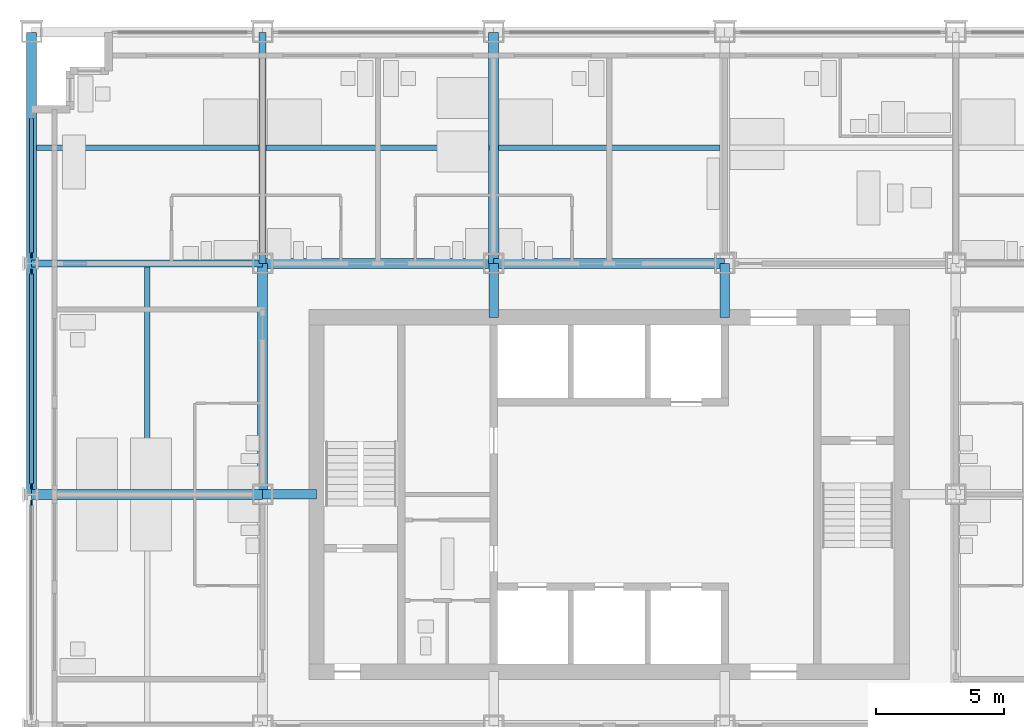
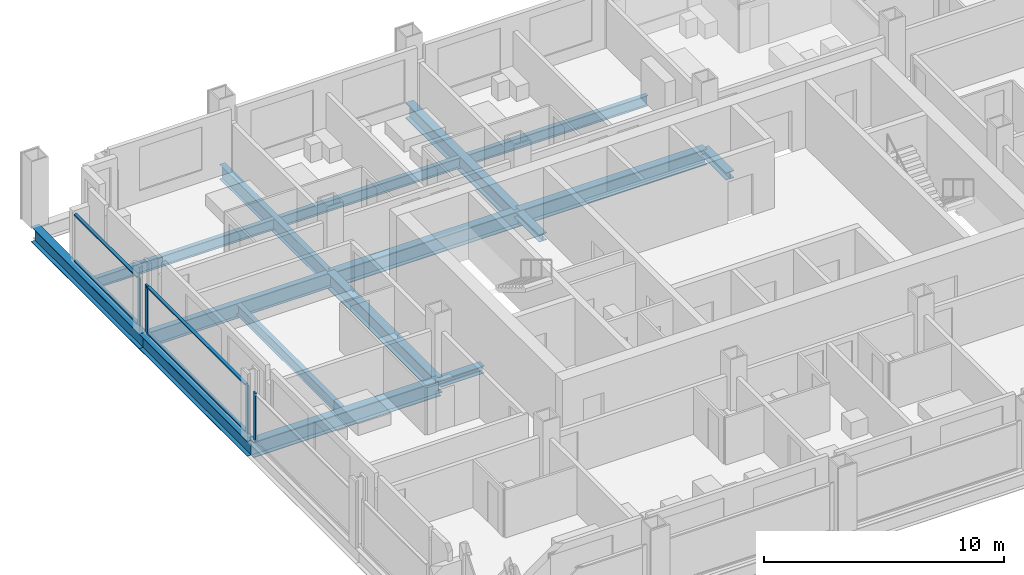
# One storey, part 4 of 16: 13 beams, 11 members, 3 elements without a shape of their own.
"""IFC4 building model written with IfcOpenShell, lengths in metres."""

import ifcopenshell
import ifcopenshell.guid

model = None  # the IFC model being written
_history = None  # IfcOwnerHistory: only IFC2X3 demands one
_inside = {}  # id of a spatial element -> (the spatial element, [elements in it])
_under = {}  # id of a project, library or spatial element -> (it, [spatial elements below it])
_declared = {}  # id of a project -> (the project, [libraries it declares])
_typed = {}  # id of a type object -> (the type object, [elements of that type])
_made_of = {}  # id of a material, layer set ... -> (it, [elements and type objects made of it])


def new_model(schema):
    """Start an empty IFC model of exactly this schema.

    Asked for "IFC4X3", IfcOpenShell would pick the latest addendum, in which some entities
    have other attributes; the version numbers below select the first issue.
    IFC2X3 requires an IfcOwnerHistory on every rooted entity: one is made here for all.
    """
    global model, _history
    if schema == "IFC4X3":
        model = ifcopenshell.file(schema_version=(4, 3, 0, 0))
    else:
        model = ifcopenshell.file(schema=schema)
    _inside.clear()
    _under.clear()
    _declared.clear()
    _typed.clear()
    _made_of.clear()
    _history = None
    if model.schema == "IFC2X3":
        org = make("IfcOrganization", Name="unknown")
        user = make(
            "IfcPersonAndOrganization",
            ThePerson=make("IfcPerson", FamilyName="unknown"),
            TheOrganization=org,
        )
        app = make(
            "IfcApplication",
            ApplicationDeveloper=org,
            Version="unknown",
            ApplicationFullName="unknown",
            ApplicationIdentifier="unknown",
        )
        _history = make(
            "IfcOwnerHistory",
            OwningUser=user,
            OwningApplication=app,
            ChangeAction="ADDED",
            CreationDate=0,
        )
    return model


def make(cls, **values):
    """One entity of the class cls with the attributes given. An attribute that is None is left unset."""
    return model.create_entity(
        cls, **{name: value for name, value in values.items() if value is not None}
    )


def rooted(cls, **values):
    """An entity with a GlobalId (a new one), such as an element, a storey or a relation."""
    return make(cls, GlobalId=ifcopenshell.guid.new(), OwnerHistory=_history, **values)


def si_unit(unit_type, name, prefix=None):
    """IfcSIUnit, for example si_unit("LENGTHUNIT", "METRE", prefix="MILLI")."""
    return make("IfcSIUnit", UnitType=unit_type, Prefix=prefix, Name=name)


def assignment(units):
    """IfcUnitAssignment: the units of a project."""
    return None if units is None else make("IfcUnitAssignment", Units=units)


def point(xyz):
    """IfcCartesianPoint."""
    return None if xyz is None else make("IfcCartesianPoint", Coordinates=xyz)


def direction(xyz):
    """IfcDirection."""
    return None if xyz is None else make("IfcDirection", DirectionRatios=xyz)


def frame(location, z_axis=None, x_axis=None):
    """IfcAxis2Placement3D, a coordinate frame: its origin and axes. An axis left out is left unset."""
    return make(
        "IfcAxis2Placement3D",
        Location=point(location),
        Axis=direction(z_axis),
        RefDirection=direction(x_axis),
    )


def frame_2d(location, x_axis=None):
    """IfcAxis2Placement2D, a coordinate frame in the plane: its origin and x axis."""
    return make(
        "IfcAxis2Placement2D", Location=point(location), RefDirection=direction(x_axis)
    )


def origin():
    """The frame at (0, 0, 0) with its axes left unset."""
    return frame((0.0, 0.0, 0.0))


def origin_2d():
    """The frame at (0, 0) in the plane with its x axis left unset."""
    return frame_2d((0.0, 0.0))


def place(relative_to, where):
    """IfcLocalPlacement: puts the frame where relative to a parent placement (None: the world)."""
    return make(
        "IfcLocalPlacement", PlacementRelTo=relative_to, RelativePlacement=where
    )


def context(
    kind, dimensions, precision=None, world=None, true_north=None, identifier=None
):
    """IfcGeometricRepresentationContext, for example the 3D "Model" context."""
    return make(
        "IfcGeometricRepresentationContext",
        ContextIdentifier=identifier,
        ContextType=kind,
        CoordinateSpaceDimension=dimensions,
        Precision=precision,
        WorldCoordinateSystem=world,
        TrueNorth=true_north,
    )


def subcontext(parent, identifier, kind, view, scale=None):
    """IfcGeometricRepresentationSubContext, for example "Body" below "Model"."""
    return make(
        "IfcGeometricRepresentationSubContext",
        ContextIdentifier=identifier,
        ContextType=kind,
        ParentContext=parent,
        TargetScale=scale,
        TargetView=view,
    )


def project(units=None, contexts=None):
    """IfcProject with its units and contexts."""
    return rooted(
        "IfcProject",
        Name="project",
        RepresentationContexts=contexts,
        UnitsInContext=assignment(units),
    )


def spatial(cls, under=None, at=None, **own):
    """A site, building, storey or space (cls), placed at a placement, below another one or the project."""
    s = rooted(cls, ObjectPlacement=at, **own)
    if under is not None:
        _under.setdefault(under.id(), (under, []))[1].append(s)
    return s


def profile(cls, at=None, kind="AREA", **sizes):
    """A parametric profile (cls). Its sizes go by their IFC names, for example OverallWidth=200.0."""
    return make(cls, ProfileType=kind, Position=at, **sizes)


def rectangle(**sizes):
    """IfcRectangleProfileDef."""
    return profile("IfcRectangleProfileDef", **sizes)


def i_section(**sizes):
    """IfcIShapeProfileDef."""
    return profile("IfcIShapeProfileDef", **sizes)


def extrude(swept, where, along, depth):
    """IfcExtrudedAreaSolid: the profile swept, set in the frame where, extruded along a direction by depth."""
    return make(
        "IfcExtrudedAreaSolid",
        SweptArea=swept,
        Position=where,
        ExtrudedDirection=direction(along),
        Depth=depth,
    )


def shape(context_of_items, identifier, shape_type, items):
    """IfcShapeRepresentation: the items that make up one representation, for example the "Body"."""
    return make(
        "IfcShapeRepresentation",
        ContextOfItems=context_of_items,
        RepresentationIdentifier=identifier,
        RepresentationType=shape_type,
        Items=items,
    )


def material(Name=None, Category=None):
    """IfcMaterial."""
    return make("IfcMaterial", Name=Name, Category=Category)


def material_profile(
    of_material, cross_section, Name=None, Category=None, Priority=None
):
    """IfcMaterialProfile: a cross section and its material."""
    return make(
        "IfcMaterialProfile",
        Name=Name,
        Material=of_material,
        Profile=cross_section,
        Priority=Priority,
        Category=Category,
    )


def profile_set(profiles, Name=None, composite=None):
    """IfcMaterialProfileSet."""
    return make(
        "IfcMaterialProfileSet",
        Name=Name,
        MaterialProfiles=profiles,
        CompositeProfile=composite,
    )


def made_of(thing, what):
    """Note that an element or type object is made of a material, layer set ...; save() writes the relation."""
    if what is not None:
        _made_of.setdefault(what.id(), (what, []))[1].append(thing)
    return thing


def type_object(cls, material=None, **own):
    """A type object (cls), such as IfcWallType, which elements share."""
    return made_of(rooted(cls, **own), material)


def element(
    cls,
    number,
    at=None,
    inside=None,
    cuts=None,
    type_object=None,
    material=None,
    context=None,
    identifier="Body",
    shape_type=None,
    held_by="IfcProductDefinitionShape",
    body=None,
    shapes=None,
    **own,
):
    """One element of the class cls, such as IfcWall. Its Tag is "e" and its number.

    at: its placement. inside: the storey or other place that contains it. cuts: it is an
    opening in that element (IfcRelVoidsElement). A single representation is given by context,
    identifier, shape_type and body (its items); several are given by shapes. held_by: the class
    of the entity that holds the representations. save() writes the other relations.
    """
    e = rooted(cls, Tag="e%d" % number, ObjectPlacement=at, **own)
    if body is not None:
        shapes = [shape(context, identifier, shape_type, body)]
    if shapes is not None:
        e.Representation = make(held_by, Representations=shapes)
    if inside is not None:
        _inside.setdefault(inside.id(), (inside, []))[1].append(e)
    if cuts is not None:
        rooted(
            "IfcRelVoidsElement", RelatingBuildingElement=cuts, RelatedOpeningElement=e
        )
    if type_object is not None:
        _typed.setdefault(type_object.id(), (type_object, []))[1].append(e)
    return made_of(e, material)


def aggregate(whole, parts):
    """IfcRelAggregates: a whole, such as a stair, and the parts it consists of."""
    return rooted("IfcRelAggregates", RelatingObject=whole, RelatedObjects=parts)


def save(model, path):
    """Write the relations noted so far, then the file.

    IfcRelAggregates (storeys below a building ...), IfcRelContainedInSpatialStructure (elements
    in a storey), IfcRelDefinesByType, IfcRelAssociatesMaterial and IfcRelDeclares: one each for
    every whole, place, type object, material and project.
    """
    for whole, parts in _under.values():
        aggregate(whole, parts)
    for where, things in _inside.values():
        rooted(
            "IfcRelContainedInSpatialStructure",
            RelatedElements=things,
            RelatingStructure=where,
        )
    for kind, things in _typed.values():
        rooted("IfcRelDefinesByType", RelatedObjects=things, RelatingType=kind)
    for what, things in _made_of.values():
        rooted("IfcRelAssociatesMaterial", RelatedObjects=things, RelatingMaterial=what)
    for by, libraries in _declared.values():
        rooted("IfcRelDeclares", RelatingContext=by, RelatedDefinitions=libraries)
    model.write(path)


model = new_model("IFC4")

# Units and contexts
model_context = context("Model", 3, precision=1e-05, world=origin(), true_north=direction((0.0, 1.0)))
body_context = subcontext(model_context, "Body", "Model", "MODEL_VIEW")
ifc_project = project(units=[si_unit("LENGTHUNIT", "METRE"), si_unit("AREAUNIT", "SQUARE_METRE"), si_unit("VOLUMEUNIT", "CUBIC_METRE"), si_unit("PLANEANGLEUNIT", "RADIAN"), si_unit("MASSUNIT", "GRAM", prefix="KILO")], contexts=[model_context])

# Site, building, storey
site_placement = place(None, origin())
site = spatial("IfcSite", under=ifc_project, at=site_placement, CompositionType="ELEMENT")
building_placement = place(site_placement, origin())
building = spatial("IfcBuilding", under=site, at=building_placement, Name="Loomwork Tower", CompositionType="ELEMENT")
storey_placement = place(building_placement, frame((0.0, 0.0, 128.199951171875)))
storey = spatial("IfcBuildingStorey", under=building, at=storey_placement, Name="L34", CompositionType="ELEMENT", Elevation=128.199951171875)

# Beams
ifc_material_1 = material(Name="Steel ASTM A992", Category="steel")
ifc_material_profile_1 = material_profile(ifc_material_1, i_section(OverallWidth=0.383544921875, OverallDepth=0.794921875, WebThickness=0.02099609375, FlangeThickness=0.0380859375, at=origin_2d()), Name="W30x235")
ifc_profile_set_1 = profile_set([ifc_material_profile_1], Name="Steel ASTM A992")
beam_type_1 = type_object("IfcBeamType", Name="CORE FLANK GIRDER W30x235", PredefinedType="BEAM", material=ifc_profile_set_1)
for number, where, z_axis, x_axis, name in (
    (1, (0.0, 18.0, -0.597412109375), (1.0, 0.0, 0.0), (0.0, 1.0, 0.0), "Core Flank Girder F/2-F/3 L34"),
    (2, (9.0, 27.0, -0.597412109375), (1.0, 0.0, 0.0), (0.0, 1.0, 0.0), "Core Flank Girder G/3-G/4 L34"),
    (3, (18.0, 27.0, -0.597412109375), (1.0, 0.0, 0.0), (0.0, 1.0, 0.0), "Core Flank Girder G/4-G/5 L34"),
    (4, (9.0, 18.0, -0.597412109375), (0.0, 1.0, 0.0), (-1.0, 0.0, 0.0), "Core Flank Girder F/3-G/3 L34"),
    (5, (18.0, 27.0, -0.597412109375), (0.0, 1.0, 0.0), (-1.0, 0.0, 0.0), "Core Flank Girder G/4-H/4 L34"),
):
    element("IfcBeam", number, at=place(storey_placement, frame(where, z_axis=z_axis, x_axis=x_axis)), inside=storey, type_object=beam_type_1, Name=name, PredefinedType="BEAM", context=body_context, shape_type="SweptSolid", body=[
        extrude(i_section(OverallWidth=0.383544921875, OverallDepth=0.794921875, WebThickness=0.02099609375, FlangeThickness=0.0380859375, at=origin_2d()), origin(), (0.0, 0.0, 1.0), 9.0),
    ])

# Members
ifc_material_2 = material(Name="Steel ASTM A992", Category="steel")
ifc_material_profile_2 = material_profile(ifc_material_2, i_section(OverallWidth=0.373291015625, OverallDepth=0.373291015625, WebThickness=0.016357421875, FlangeThickness=0.026123046875, at=origin_2d()), Name="W14x132")
ifc_profile_set_2 = profile_set([ifc_material_profile_2], Name="Steel ASTM A992")
member_type_1 = type_object("IfcMemberType", Name="CORE LINK STRUT W14x132", PredefinedType="STRUT", material=ifc_profile_set_2)
for number, where, z_axis, x_axis, name in (
    (6, (27.0, 27.0, -0.38671875), (0.0, -1.0, 0.0), (1.0, 0.0, 0.0), "Core link strut G/5-27.000,24.900 L34"),
    (7, (18.0, 27.0, -0.38671875), (0.0, -1.0, 0.0), (1.0, 0.0, 0.0), "Core link strut G/4-18.000,24.900 L34"),
    (8, (9.0, 18.0, -0.38671875), (1.0, 0.0, 0.0), (0.0, 1.0, 0.0), "Core link strut F/3-11.100,18.000 L34"),
):
    element("IfcMember", number, at=place(storey_placement, frame(where, z_axis=z_axis, x_axis=x_axis)), inside=storey, type_object=member_type_1, Name=name, PredefinedType="STRUT", context=body_context, shape_type="SweptSolid", body=[
        extrude(i_section(OverallWidth=0.373291015625, OverallDepth=0.373291015625, WebThickness=0.016357421875, FlangeThickness=0.026123046875, at=origin_2d()), origin(), (0.0, 0.0, 1.0), 2.10009765625),
    ])

# Beams
ifc_material_3 = material(Name="Steel ASTM A992", Category="steel")
ifc_material_profile_3 = material_profile(ifc_material_3, i_section(OverallWidth=0.2666015625, OverallDepth=0.761962890625, WebThickness=0.014404296875, FlangeThickness=0.021484375, at=origin_2d()), Name="W30x116")
ifc_profile_set_3 = profile_set([ifc_material_profile_3], Name="Steel ASTM A992")
beam_type_2 = type_object("IfcBeamType", Name="FLOOR GIRDER W30x116", PredefinedType="BEAM", material=ifc_profile_set_3)
for number, where, z_axis, x_axis, name in (
    (9, (0.0, 27.0, -0.5810546875), (1.0, 0.0, 0.0), (0.0, 1.0, 0.0), "Floor Girder G/2-G/3 L34"),
    (10, (9.0, 27.0, -0.5810546875), (0.0, 1.0, 0.0), (-1.0, 0.0, 0.0), "Floor Girder G/3-H/3 L34"),
):
    element("IfcBeam", number, at=place(storey_placement, frame(where, z_axis=z_axis, x_axis=x_axis)), inside=storey, type_object=beam_type_2, Name=name, PredefinedType="BEAM", context=body_context, shape_type="SweptSolid", body=[
        extrude(i_section(OverallWidth=0.2666015625, OverallDepth=0.761962890625, WebThickness=0.014404296875, FlangeThickness=0.021484375, at=origin_2d()), origin(), (0.0, 0.0, 1.0), 9.0),
    ])
ifc_material_4 = material(Name="Steel ASTM A992", Category="steel")
ifc_material_profile_4 = material_profile(ifc_material_4, i_section(OverallWidth=0.2109375, OverallDepth=0.53857421875, WebThickness=0.011474609375, FlangeThickness=0.018798828125, at=origin_2d()), Name="W21x73")
ifc_profile_set_4 = profile_set([ifc_material_profile_4], Name="Steel ASTM A992")
beam_type_3 = type_object("IfcBeamType", Name="FLOOR JOIST W21x73", PredefinedType="JOIST", material=ifc_profile_set_4)
beam_1_placement = place(storey_placement, frame((4.5, 18.19091796875, -0.46923828125), z_axis=(0.0, 1.0, 0.0), x_axis=(-1.0, 0.0, 0.0)))
element("IfcBeam", 11, at=beam_1_placement, inside=storey, type_object=beam_type_3, Name="Floor Joist 4.500,18.000-4.500,27.000 L34", PredefinedType="JOIST", context=body_context, shape_type="SweptSolid", body=[
    extrude(i_section(OverallWidth=0.2109375, OverallDepth=0.53857421875, WebThickness=0.011474609375, FlangeThickness=0.018798828125, at=origin_2d()), origin(), (0.0, 0.0, 1.0), 8.676025390625),
])
beam_2_placement = place(storey_placement, frame((0.18994140625, 31.5, -0.46923828125), z_axis=(1.0, 0.0, 0.0), x_axis=(0.0, 1.0, 0.0)))
element("IfcBeam", 12, at=beam_2_placement, inside=storey, type_object=beam_type_3, Name="Floor Joist 0.000,31.500-9.000,31.500 L34", PredefinedType="JOIST", context=body_context, shape_type="SweptSolid", body=[
    extrude(i_section(OverallWidth=0.2109375, OverallDepth=0.53857421875, WebThickness=0.011474609375, FlangeThickness=0.018798828125, at=origin_2d()), origin(), (0.0, 0.0, 1.0), 8.677001953125),
])
beam_3_placement = place(storey_placement, frame((9.133056640625, 31.5, -0.46923828125), z_axis=(1.0, 0.0, 0.0), x_axis=(0.0, 1.0, 0.0)))
element("IfcBeam", 13, at=beam_3_placement, inside=storey, type_object=beam_type_3, Name="Floor Joist 9.000,31.500-18.000,31.500 L34", PredefinedType="JOIST", context=body_context, shape_type="SweptSolid", body=[
    extrude(i_section(OverallWidth=0.2109375, OverallDepth=0.53857421875, WebThickness=0.011474609375, FlangeThickness=0.018798828125, at=origin_2d()), origin(), (0.0, 0.0, 1.0), 8.676025390625),
])
beam_4_placement = place(storey_placement, frame((18.19091796875, 31.5, -0.46923828125), z_axis=(1.0, 0.0, 0.0), x_axis=(0.0, 1.0, 0.0)))
element("IfcBeam", 14, at=beam_4_placement, inside=storey, type_object=beam_type_3, Name="Floor Joist 18.000,31.500-27.000,31.500 L34", PredefinedType="JOIST", context=body_context, shape_type="SweptSolid", body=[
    extrude(i_section(OverallWidth=0.2109375, OverallDepth=0.53857421875, WebThickness=0.011474609375, FlangeThickness=0.018798828125, at=origin_2d()), origin(), (0.0, 0.0, 1.0), 8.6181640625),
])

# Curtain wall, member
ifc_material_5 = material(Name="Aluminium curtain wall frame", Category="aluminium")
curtain_wall_type = type_object("IfcCurtainWallType", Name="Outer skin glazing hotel", PredefinedType="NOTDEFINED", material=ifc_material_5)
curtain_wall_1_placement = place(storey_placement, origin())
curtain_wall_1 = element("IfcCurtainWall", 15, at=curtain_wall_1_placement, inside=storey, type_object=curtain_wall_type, Name="Outer skin glazing hotel cw/W-9", PredefinedType="NOTDEFINED")
ifc_material_6 = material(Name="Aluminium curtain wall frame", Category="aluminium")
ifc_material_profile_5 = material_profile(ifc_material_6, rectangle(XDim=0.06494140625, YDim=0.199951171875, at=origin_2d()), Name="AL 65x200")
ifc_profile_set_5 = profile_set([ifc_material_profile_5], Name="Aluminium curtain wall frame")
member_type_2 = type_object("IfcMemberType", Name="Outer skin glazing hotel mullion", PredefinedType="MULLION", material=ifc_profile_set_5)
member_1_placement = place(storey_placement, frame((0.0, 17.678955078125, 0.0), z_axis=(0.0, 0.0, 1.0), x_axis=(1.0, 0.0, 0.0)))
member_1 = element("IfcMember", 16, at=member_1_placement, type_object=member_type_2, Name="CW1 mullion 1", PredefinedType="MULLION", context=body_context, shape_type="SweptSolid", body=[
    extrude(rectangle(XDim=0.06494140625, YDim=0.199951171875, at=origin_2d()), origin(), (0.0, 0.0, 1.0), 2.420166015625),
])
aggregate(curtain_wall_1, [member_1])

# Curtain wall, members
curtain_wall_2_placement = place(storey_placement, origin())
curtain_wall_2 = element("IfcCurtainWall", 17, at=curtain_wall_2_placement, inside=storey, type_object=curtain_wall_type, Name="Outer skin glazing hotel cw/W-18", PredefinedType="NOTDEFINED")
member_2_placement = place(storey_placement, frame((0.0, 26.678955078125, 0.0), z_axis=(0.0, 0.0, 1.0), x_axis=(1.0, 0.0, 0.0)))
member_2 = element("IfcMember", 18, at=member_2_placement, type_object=member_type_2, Name="CW1 mullion 1", PredefinedType="MULLION", context=body_context, shape_type="SweptSolid", body=[
    extrude(rectangle(XDim=0.06494140625, YDim=0.199951171875, at=origin_2d()), origin(), (0.0, 0.0, 1.0), 2.420166015625),
])
member_3_placement = place(storey_placement, frame((0.0, 18.321044921875, 0.0), z_axis=(0.0, 0.0, 1.0), x_axis=(1.0, 0.0, 0.0)))
member_3 = element("IfcMember", 19, at=member_3_placement, type_object=member_type_2, Name="CW1 mullion 2", PredefinedType="MULLION", context=body_context, shape_type="SweptSolid", body=[
    extrude(rectangle(XDim=0.06494140625, YDim=0.199951171875, at=origin_2d()), origin(), (0.0, 0.0, 1.0), 2.420166015625),
])

# Curtain wall, member
curtain_wall_3_placement = place(storey_placement, origin())
curtain_wall_3 = element("IfcCurtainWall", 20, at=curtain_wall_3_placement, inside=storey, type_object=curtain_wall_type, Name="Outer skin glazing hotel cw/W-27", PredefinedType="NOTDEFINED")
member_4_placement = place(storey_placement, frame((0.0, 27.321044921875, 0.0), z_axis=(0.0, 0.0, 1.0), x_axis=(1.0, 0.0, 0.0)))
member_4 = element("IfcMember", 21, at=member_4_placement, type_object=member_type_2, Name="CW1 mullion 2", PredefinedType="MULLION", context=body_context, shape_type="SweptSolid", body=[
    extrude(rectangle(XDim=0.06494140625, YDim=0.199951171875, at=origin_2d()), origin(), (0.0, 0.0, 1.0), 2.420166015625),
])

# Member
ifc_material_7 = material(Name="Aluminium curtain wall frame", Category="aluminium")
ifc_material_profile_6 = material_profile(ifc_material_7, rectangle(XDim=0.14990234375, YDim=0.06494140625, at=origin_2d()), Name="AL 65x150")
ifc_profile_set_6 = profile_set([ifc_material_profile_6], Name="Aluminium curtain wall frame")
member_type_3 = type_object("IfcMemberType", Name="Outer skin glazing hotel transom", PredefinedType="USERDEFINED", material=ifc_profile_set_6)
member_5_placement = place(storey_placement, frame((0.0, 26.5791015625, 0.032470703125), z_axis=(0.0, -1.0, 0.0), x_axis=(1.0, 0.0, 0.0)))
member_5 = element("IfcMember", 22, at=member_5_placement, type_object=member_type_3, Name="CW1 transom 1.1", ObjectType="TRANSOM", PredefinedType="USERDEFINED", context=body_context, shape_type="SweptSolid", body=[
    extrude(rectangle(XDim=0.14990234375, YDim=0.06494140625, at=origin_2d()), origin(), (0.0, 0.0, 1.0), 8.158203125),
])

member_6_placement = place(storey_placement, frame((0.0, 26.5791015625, 2.3876953125), z_axis=(0.0, -1.0, 0.0), x_axis=(1.0, 0.0, 0.0)))
member_6 = element("IfcMember", 23, at=member_6_placement, type_object=member_type_3, Name="CW1 transom 1.2", ObjectType="TRANSOM", PredefinedType="USERDEFINED", context=body_context, shape_type="SweptSolid", body=[
    extrude(rectangle(XDim=0.14990234375, YDim=0.06494140625, at=origin_2d()), origin(), (0.0, 0.0, 1.0), 8.158203125),
])

aggregate(curtain_wall_2, [member_2, member_3, member_5, member_6])

member_7_placement = place(storey_placement, frame((0.0, 32.64990234375, 0.032470703125), z_axis=(0.0, -1.0, 0.0), x_axis=(1.0, 0.0, 0.0)))
member_7 = element("IfcMember", 24, at=member_7_placement, type_object=member_type_3, Name="CW1 transom 1.1", ObjectType="TRANSOM", PredefinedType="USERDEFINED", context=body_context, shape_type="SweptSolid", body=[
    extrude(rectangle(XDim=0.14990234375, YDim=0.06494140625, at=origin_2d()), origin(), (0.0, 0.0, 1.0), 5.22900390625),
])

member_8_placement = place(storey_placement, frame((0.0, 32.64990234375, 2.3876953125), z_axis=(0.0, -1.0, 0.0), x_axis=(1.0, 0.0, 0.0)))
member_8 = element("IfcMember", 25, at=member_8_placement, type_object=member_type_3, Name="CW1 transom 1.2", ObjectType="TRANSOM", PredefinedType="USERDEFINED", context=body_context, shape_type="SweptSolid", body=[
    extrude(rectangle(XDim=0.14990234375, YDim=0.06494140625, at=origin_2d()), origin(), (0.0, 0.0, 1.0), 5.22900390625),
])

aggregate(curtain_wall_3, [member_4, member_7, member_8])

# Beams
ifc_material_8 = material(Name="Steel ASTM A992", Category="steel")
ifc_material_profile_7 = material_profile(ifc_material_8, i_section(OverallWidth=0.381103515625, OverallDepth=0.77978515625, WebThickness=0.01806640625, FlangeThickness=0.0302734375, at=origin_2d()), Name="W30x191")
ifc_profile_set_7 = profile_set([ifc_material_profile_7], Name="Steel ASTM A992")
beam_type_4 = type_object("IfcBeamType", Name="SPANDREL GIRDER W30x191", PredefinedType="SPANDREL", material=ifc_profile_set_7)
for number, where, z_axis, x_axis, name in (
    (26, (0.0, 18.0, -0.58984375), (0.0, 1.0, 0.0), (-1.0, 0.0, 0.0), "Spandrel Girder F/2-G/2 L34"),
    (27, (0.0, 27.0, -0.58984375), (0.0, 1.0, 0.0), (-1.0, 0.0, 0.0), "Spandrel Girder G/2-H/2 L34"),
):
    element("IfcBeam", number, at=place(storey_placement, frame(where, z_axis=z_axis, x_axis=x_axis)), inside=storey, type_object=beam_type_4, Name=name, PredefinedType="SPANDREL", context=body_context, shape_type="SweptSolid", body=[
        extrude(i_section(OverallWidth=0.381103515625, OverallDepth=0.77978515625, WebThickness=0.01806640625, FlangeThickness=0.0302734375, at=origin_2d()), origin(), (0.0, 0.0, 1.0), 9.0),
    ])

save(model, "model.ifc")
